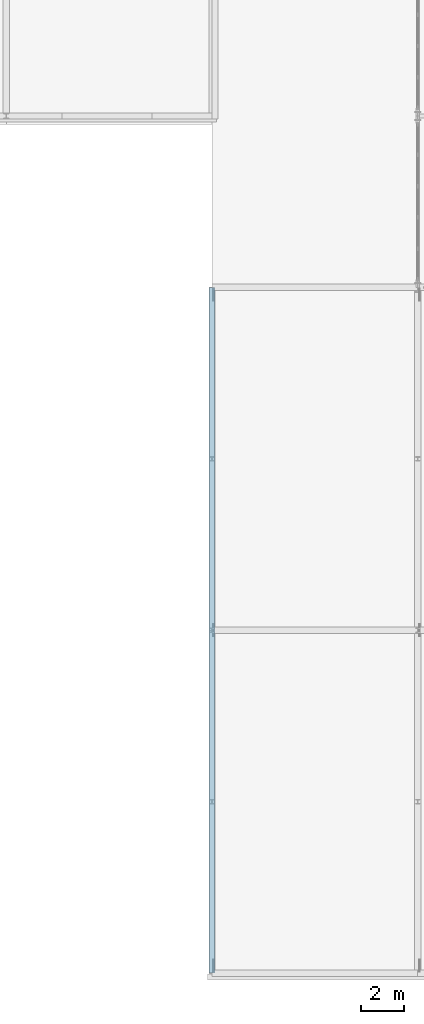
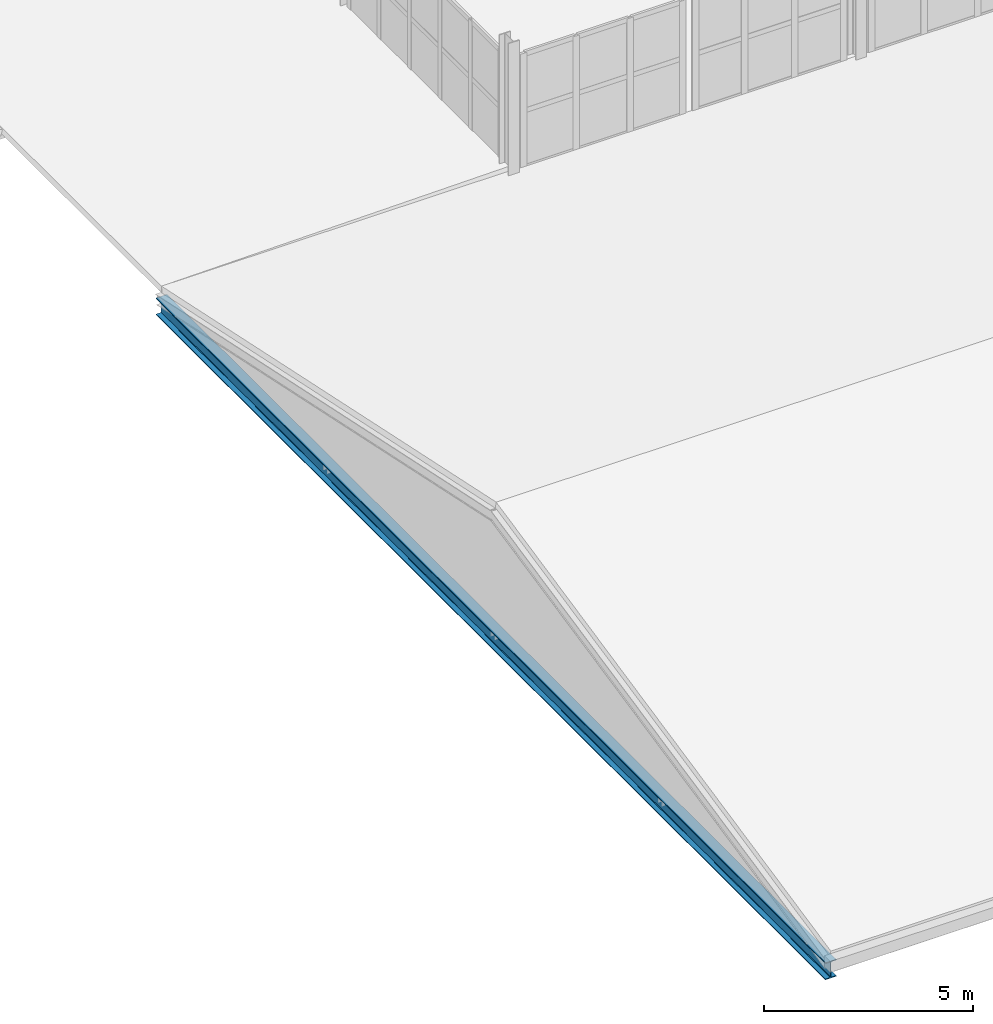
# One storey, part 25 of 85: 1 beam.
"""IFC4 building model written with IfcOpenShell, lengths in metres."""

from ifc_helpers import new_model, si_unit, direction, frame, origin, origin_2d, place, context, subcontext, project, spatial, i_section, extrude, material, material_profile, profile_set, type_object, element, save


model = new_model("IFC4")

# Units and contexts
model_context = context("Model", 3, precision=1e-05, world=origin(), true_north=direction((0.0, 1.0)))
body_context = subcontext(model_context, "Body", "Model", "MODEL_VIEW")
ifc_project = project(units=[si_unit("LENGTHUNIT", "METRE"), si_unit("AREAUNIT", "SQUARE_METRE"), si_unit("VOLUMEUNIT", "CUBIC_METRE"), si_unit("PLANEANGLEUNIT", "RADIAN"), si_unit("MASSUNIT", "GRAM", prefix="KILO")], contexts=[model_context])

# Site, building, storey
site_placement = place(None, origin())
site = spatial("IfcSite", under=ifc_project, at=site_placement, CompositionType="ELEMENT")
building_placement = place(site_placement, origin())
building = spatial("IfcBuilding", under=site, at=building_placement, Name="Alderhovde Museum", CompositionType="ELEMENT")
storey_placement = place(building_placement, frame((0.0, 0.0, 8.699951171875)))
storey = spatial("IfcBuildingStorey", under=building, at=storey_placement, Name="L02", CompositionType="ELEMENT", Elevation=8.699951171875)

# Beam
ifc_material = material(Name="Steel S355J2", Category="steel")
ifc_material_profile = material_profile(ifc_material, i_section(OverallWidth=0.300048828125, OverallDepth=0.5, WebThickness=0.014404296875, FlangeThickness=0.028076171875, FilletRadius=0.027099609375, at=origin_2d()), Name="HEB 500")
ifc_profile_set = profile_set([ifc_material_profile], Name="Steel S355J2")
beam_type = type_object("IfcBeamType", Name="BM-HEB500", PredefinedType="BEAM", material=ifc_profile_set)
beam_placement = place(storey_placement, frame((67.199951171875, 0.0, -0.5), z_axis=(0.0, 1.0, 0.0), x_axis=(-1.0, 0.0, 0.0)))
element("IfcBeam", 1, at=beam_placement, inside=storey, type_object=beam_type, Name="Auditorium Roof Truss X=67.2 Tie", PredefinedType="BEAM", context=body_context, shape_type="SweptSolid", body=[
    extrude(i_section(OverallWidth=0.300048828125, OverallDepth=0.5, WebThickness=0.014404296875, FlangeThickness=0.028076171875, FilletRadius=0.027099609375, at=origin_2d()), origin(), (0.0, 0.0, 1.0), 32.0),
])

save(model, "model.ifc")
